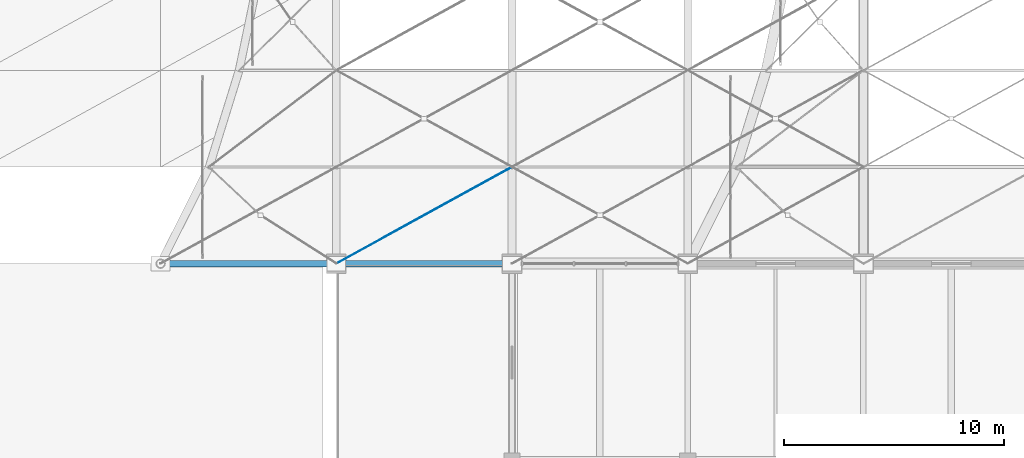
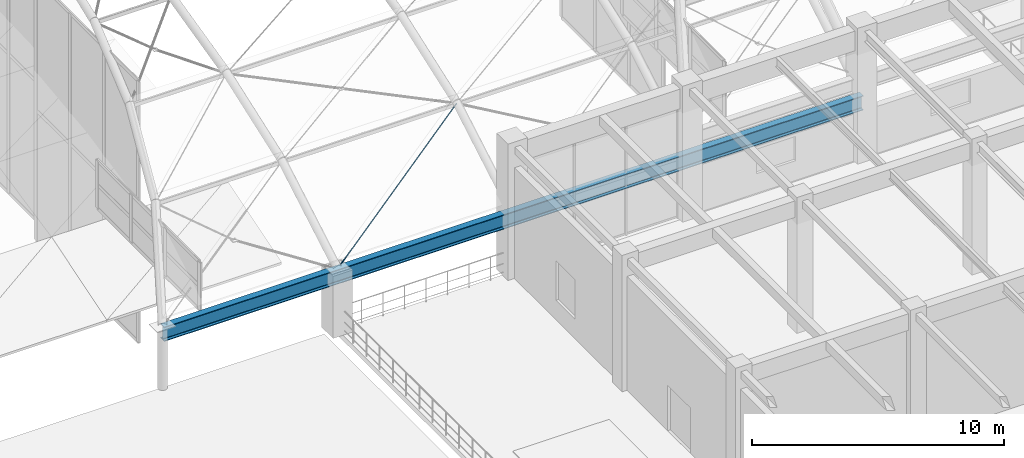
# One storey, part 11 of 163: 1 beam, 1 member.
"""IFC4 building model written with IfcOpenShell, lengths in metres."""

from ifc_helpers import new_model, si_unit, direction, frame, origin, origin_2d, place, context, subcontext, project, spatial, circle, i_section, extrude, material, material_profile, profile_set, type_object, element, save


model = new_model("IFC4")

# Units and contexts
model_context = context("Model", 3, precision=1e-05, world=origin(), true_north=direction((0.0, 1.0)))
body_context = subcontext(model_context, "Body", "Model", "MODEL_VIEW")
ifc_project = project(units=[si_unit("LENGTHUNIT", "METRE"), si_unit("AREAUNIT", "SQUARE_METRE"), si_unit("VOLUMEUNIT", "CUBIC_METRE"), si_unit("PLANEANGLEUNIT", "RADIAN"), si_unit("MASSUNIT", "GRAM", prefix="KILO")], contexts=[model_context])

# Site, building, storey
site_placement = place(None, origin())
site = spatial("IfcSite", under=ifc_project, at=site_placement, CompositionType="ELEMENT")
building_placement = place(site_placement, origin())
building = spatial("IfcBuilding", under=site, at=building_placement, Name="Varnabhumi Central Station", CompositionType="ELEMENT")
storey_placement = place(building_placement, frame((0.0, 0.0, 9.60009765625)))
storey = spatial("IfcBuildingStorey", under=building, at=storey_placement, Name="L02", CompositionType="ELEMENT", Elevation=9.60009765625)

# Beam
ifc_material_1 = material(Name="Structural steel E350", Category="steel")
ifc_material_profile_1 = material_profile(ifc_material_1, i_section(OverallWidth=0.300048828125, OverallDepth=0.699951171875, WebThickness=0.01708984375, FlangeThickness=0.031982421875, FilletRadius=0.027099609375, at=origin_2d()), Name="Structural steel E350", Category="steel")
ifc_profile_set_1 = profile_set([ifc_material_profile_1], Name="Structural steel E350")
beam_type = type_object("IfcBeamType", Name="BM-RING-WPB700", PredefinedType="BEAM", material=ifc_profile_set_1)
beam_placement = place(storey_placement, frame((16.0, 36.0, 2.659912109375), z_axis=(1.0, 0.0, 0.0), x_axis=(0.0, 1.0, 0.0)))
element("IfcBeam", 1, at=beam_placement, inside=storey, type_object=beam_type, Name="Entrance Portico Vault Compression Ring Beam S", PredefinedType="BEAM", context=body_context, shape_type="SweptSolid", body=[
    extrude(i_section(OverallWidth=0.300048828125, OverallDepth=0.699951171875, WebThickness=0.01708984375, FlangeThickness=0.031982421875, FilletRadius=0.027099609375, at=origin_2d()), origin(), (0.0, 0.0, 1.0), 32.0),
])

# Member
ifc_material_2 = material(Name="Spiral-strand steel S1570", Category="steel")
ifc_material_profile_2 = material_profile(ifc_material_2, circle(Radius=0.01806640625, at=origin_2d()), Name="Spiral-strand steel S1570", Category="steel")
ifc_profile_set_2 = profile_set([ifc_material_profile_2], Name="Spiral-strand steel S1570")
member_type = type_object("IfcMemberType", Name="MBR-CABLE-D36", PredefinedType="USERDEFINED", material=ifc_profile_set_2)
member_placement = place(storey_placement, frame((24.0, 36.0, 2.919921875), z_axis=(0.843816502733, 0.464088776008, 0.269435182742), x_axis=(-0.481910537812, 0.876220425204, 0.0)))
element("IfcMember", 2, at=member_placement, inside=storey, type_object=member_type, Name="Entrance Portico Vault Cable-Net Tie B2-P1A", ObjectType="TENSION CABLE", PredefinedType="USERDEFINED", context=body_context, shape_type="SweptSolid", body=[
    extrude(circle(Radius=0.01806640625, at=origin_2d()), origin(), (0.0, 0.0, 1.0), 9.480712890625),
])

save(model, "model.ifc")
